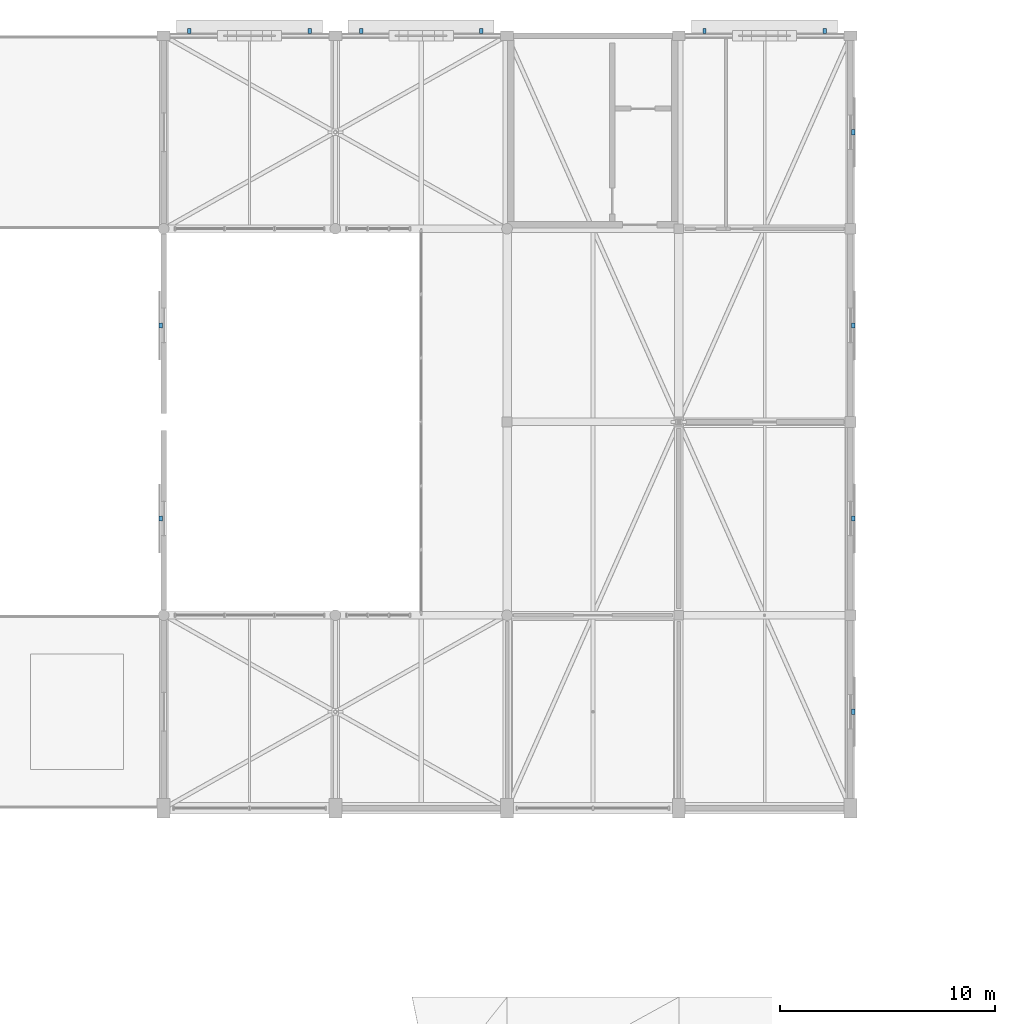
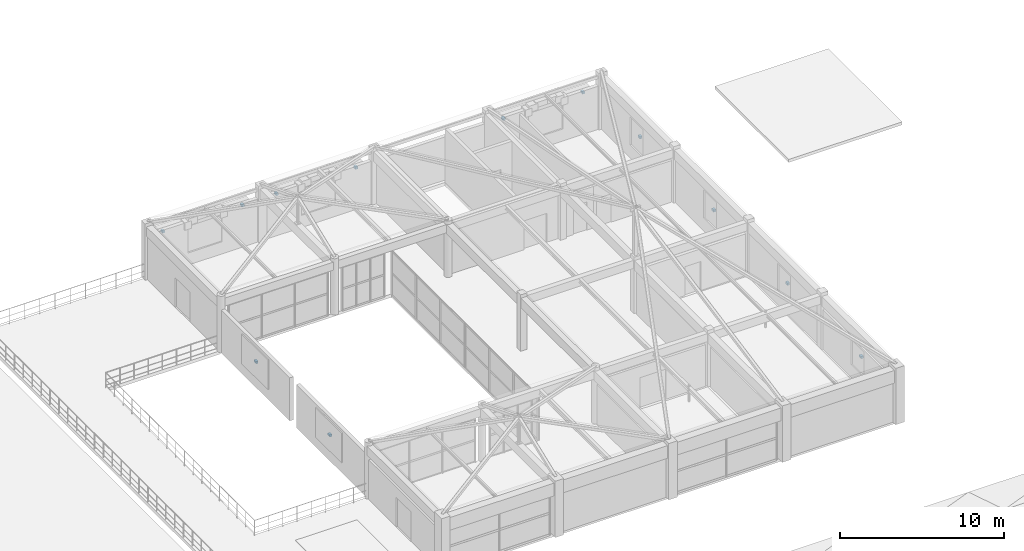
# One storey, part 59 of 63: 12 discrete accessories.
"""IFC4 building model written with IfcOpenShell, lengths in metres."""

from ifc_helpers import new_model, si_unit, direction, frame, origin, origin_2d, place, context, subcontext, project, spatial, rectangle, extrude, material, layer, layer_set, type_object, element, save


model = new_model("IFC4")

# Units and contexts
model_context = context("Model", 3, precision=1e-05, world=origin(), true_north=direction((0.0, 1.0)))
body_context = subcontext(model_context, "Body", "Model", "MODEL_VIEW")
ifc_project = project(units=[si_unit("LENGTHUNIT", "METRE"), si_unit("AREAUNIT", "SQUARE_METRE"), si_unit("VOLUMEUNIT", "CUBIC_METRE"), si_unit("PLANEANGLEUNIT", "RADIAN"), si_unit("MASSUNIT", "GRAM", prefix="KILO")], contexts=[model_context])

# Site, building, storey
site_placement = place(None, origin())
site = spatial("IfcSite", under=ifc_project, at=site_placement, CompositionType="ELEMENT")
building_placement = place(site_placement, origin())
building = spatial("IfcBuilding", under=site, at=building_placement, Name="Varnabhumi Central Station", CompositionType="ELEMENT")
storey_placement = place(building_placement, frame((0.0, 0.0, 20.39990234375)))
storey = spatial("IfcBuildingStorey", under=building, at=storey_placement, Name="L04", CompositionType="ELEMENT", Elevation=20.39990234375)

# Discrete accessories
ifc_material = material(Name="Structural steel E350", Category="steel")
ifc_layer = layer(ifc_material, 0.159912109375, Name="Structural steel E350", Category="steel")
ifc_layer_set = layer_set([ifc_layer], Name="Structural steel E350")
discrete_accessory_type = type_object("IfcDiscreteAccessoryType", Name="ACC-SHADE-BRKT", PredefinedType="BRACKET", material=ifc_layer_set)
for number, where, z_axis, x_axis, name in (
    (1, (65.199951171875, 116.2099609375, 2.81005859375), (0.0, 0.0, 1.0), (1.0, 0.0, 0.0), "Chajja Bracket N-L04-1L"),
    (2, (70.800048828125, 116.2099609375, 2.81005859375), (0.0, 0.0, 1.0), (1.0, 0.0, 0.0), "Chajja Bracket N-L04-1R"),
    (3, (73.199951171875, 116.2099609375, 2.81005859375), (0.0, 0.0, 1.0), (1.0, 0.0, 0.0), "Chajja Bracket N-L04-2L"),
    (4, (78.800048828125, 116.2099609375, 2.81005859375), (0.0, 0.0, 1.0), (1.0, 0.0, 0.0), "Chajja Bracket N-L04-2R"),
    (5, (89.199951171875, 116.2099609375, 2.81005859375), (0.0, 0.0, 1.0), (1.0, 0.0, 0.0), "Chajja Bracket N-L04-4L"),
    (6, (94.800048828125, 116.2099609375, 2.81005859375), (0.0, 0.0, 1.0), (1.0, 0.0, 0.0), "Chajja Bracket N-L04-4R"),
    (7, (63.8701171875, 93.5, 1.8701171875), (0.0, 0.0, 1.0), (1.0, 0.0, 0.0), "Celosia Bracket N-L04-E2"),
    (8, (63.8701171875, 102.5, 1.8701171875), (0.0, 0.0, 1.0), (1.0, 0.0, 0.0), "Celosia Bracket N-L04-E3"),
    (9, (96.1298828125, 84.5, 1.8701171875), (0.0, 0.0, 1.0), (1.0, 0.0, 0.0), "Celosia Bracket N-L04-W1"),
    (10, (96.1298828125, 93.5, 1.8701171875), (0.0, 0.0, 1.0), (1.0, 0.0, 0.0), "Celosia Bracket N-L04-W2"),
    (11, (96.1298828125, 102.5, 1.8701171875), (0.0, 0.0, 1.0), (1.0, 0.0, 0.0), "Celosia Bracket N-L04-W3"),
    (12, (96.1298828125, 111.5, 1.8701171875), (0.0, 0.0, 1.0), (1.0, 0.0, 0.0), "Celosia Bracket N-L04-W4"),
):
    element("IfcDiscreteAccessory", number, at=place(storey_placement, frame(where, z_axis=z_axis, x_axis=x_axis)), inside=storey, type_object=discrete_accessory_type, Name=name, PredefinedType="BRACKET", context=body_context, shape_type="SweptSolid", body=[
        extrude(rectangle(XDim=0.159912109375, YDim=0.239990234375, at=origin_2d()), origin(), (0.0, 0.0, 1.0), 0.159912109375),
    ])

save(model, "model.ifc")
